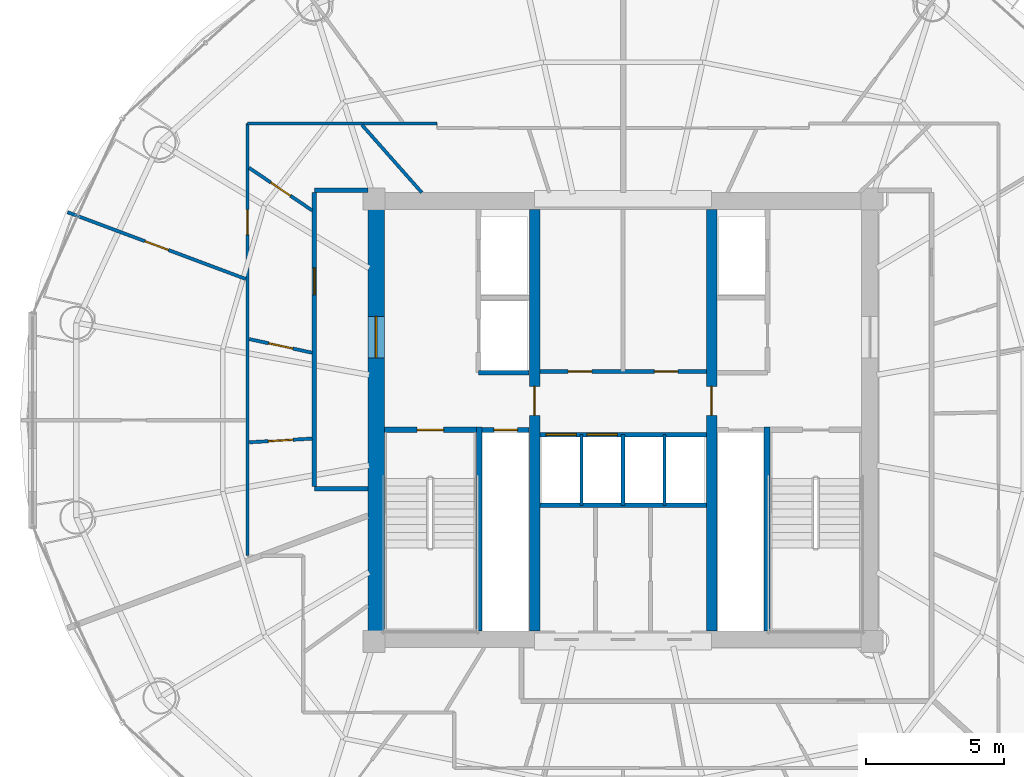
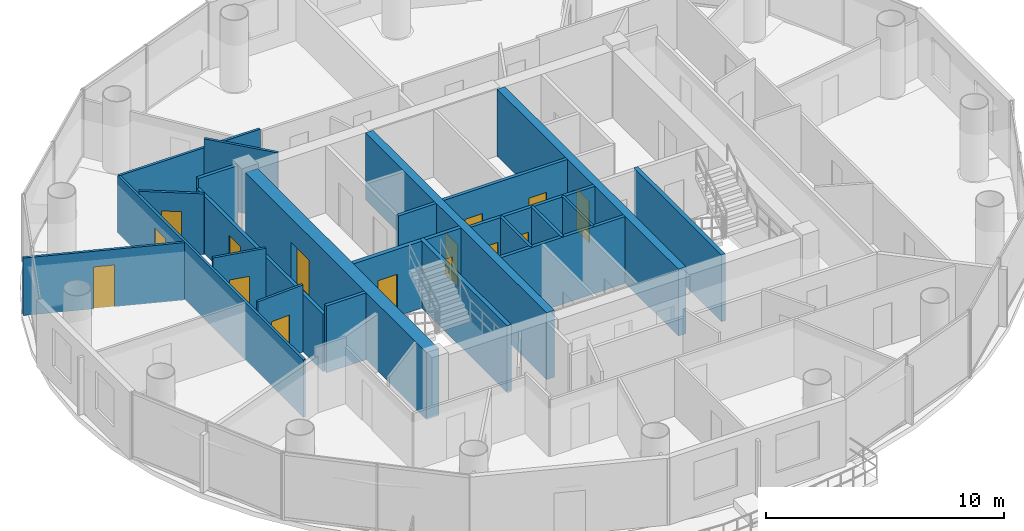
# One storey, part 21 of 26: 24 walls, 15 doors, 15 openings.
"""IFC4 building model written with IfcOpenShell, lengths in metres."""

from ifc_helpers import new_model, si_unit, direction, frame, frame_2d, origin, place, context, subcontext, project, spatial, rectangle, extrude, source, transform, mapped, material, layer, layer_set, type_object, element, fill, save


model = new_model("IFC4")

# Units and contexts
model_context = context("Model", 3, precision=1e-05, world=origin(), true_north=direction((-0.2419218956, 0.970295726276)))
body_context = subcontext(model_context, "Body", "Model", "MODEL_VIEW")
ifc_project = project(units=[si_unit("LENGTHUNIT", "METRE"), si_unit("AREAUNIT", "SQUARE_METRE"), si_unit("VOLUMEUNIT", "CUBIC_METRE"), si_unit("PLANEANGLEUNIT", "RADIAN"), si_unit("MASSUNIT", "GRAM", prefix="KILO")], contexts=[model_context])

# Site, building, storey
site_placement = place(None, origin())
site = spatial("IfcSite", under=ifc_project, at=site_placement, CompositionType="ELEMENT")
building_placement = place(site_placement, origin())
building = spatial("IfcBuilding", under=site, at=building_placement, Name="Cobrevalo Terracotta Tower", CompositionType="ELEMENT")
storey_placement = place(building_placement, frame((0.0, 0.0, 206.0)))
storey = spatial("IfcBuildingStorey", under=building, at=storey_placement, Name="L54", CompositionType="ELEMENT", Elevation=206.0)

# Wall, opening, door
ifc_material_1 = material(Name="Concrete C55", Category="concrete")
ifc_layer_1 = layer(ifc_material_1, 0.60009765625)
ifc_layer_set_1 = layer_set([ifc_layer_1], Name="Concrete C55")
wall_type_1 = type_object("IfcWallType", Name="Core shear wall 600 mm Concrete C55", PredefinedType="SHEAR", material=ifc_layer_set_1)
wall_1_placement = place(storey_placement, frame((29.074951171875, 19.175048828125, 0.0), z_axis=(0.0, 0.0, 1.0), x_axis=(0.0, 1.0, 0.0)))
wall_1 = element("IfcWall", 1, at=wall_1_placement, inside=storey, type_object=wall_type_1, Name="L54 west core shear wall", PredefinedType="SHEAR", context=body_context, shape_type="SweptSolid", body=[
    extrude(rectangle(XDim=15.25, YDim=0.60009765625, at=frame_2d((7.625, 0.0))), origin(), (0.0, 0.0, 1.0), 3.43505859375),
])
opening_1_placement = place(wall_1_placement, frame((9.875, 0.0, 0.0)))
opening_1 = element("IfcOpeningElement", 2, at=opening_1_placement, cuts=wall_1, Name="Opening ID-14", PredefinedType="OPENING", context=body_context, shape_type="SweptSolid", body=[
    extrude(rectangle(XDim=1.5, YDim=2.199951171875, at=frame_2d((0.75, 1.10009765625))), frame((0.0, 0.31005859375, 0.0), z_axis=(0.0, -1.0, 0.0), x_axis=(1.0, 0.0, 0.0)), (0.0, 0.0, 1.0), 0.6201171875),
])
ifc_material_2 = material(Name="Galvanized fire-rated steel", Category="steel")
door_type_1 = type_object("IfcDoorType", Name="Core cross-lobby double fire door 1500x2200 EI 90", OperationType="NOTDEFINED", PredefinedType="DOOR", material=ifc_material_2)
shared_shape_1 = source(origin(), body_context, "Body", "SweptSolid", [
    extrude(rectangle(XDim=1.5, YDim=2.199951171875, at=frame_2d((0.75, 1.10009765625))), frame((0.0, 0.02490234375, 0.0), z_axis=(0.0, -1.0, 0.0), x_axis=(1.0, 0.0, 0.0)), (0.0, 0.0, 1.0), 0.050048828125),
])
door_1_placement = place(opening_1_placement, origin())
door_1 = element("IfcDoor", 3, at=door_1_placement, inside=storey, type_object=door_type_1, Name="L54 west firefighting lobby entrance door", OperationType="DOUBLE_DOOR_SINGLE_SWING", OverallHeight=2.199951171875, OverallWidth=1.5, PredefinedType="DOOR", context=body_context, shape_type="MappedRepresentation", body=[
    mapped(shared_shape_1, transform((0.0, 0.0, 0.0), scale=1.0)),
])
fill(opening_1, door_1)

# Wall
ifc_material_3 = material(Name="Gypsum board on steel stud", Category="steel")
ifc_layer_2 = layer(ifc_material_3, 0.159912109375)
ifc_layer_set_2 = layer_set([ifc_layer_2], Name="Gypsum board on steel stud")
wall_type_2 = type_object("IfcWallType", Name="Fire-rated corridor acoustic partition wall 160 mm", PredefinedType="PARTITIONING", material=ifc_layer_set_2)
wall_2_placement = place(storey_placement, frame((32.77001953125, 28.52001953125, 0.0), z_axis=(0.0, 0.0, 1.0), x_axis=(1.0, 0.0, 0.0)))
element("IfcWall", 4, at=wall_2_placement, inside=storey, type_object=wall_type_2, Name="L54 interior partition IW-L54-FF1-S", PredefinedType="PARTITIONING", context=body_context, shape_type="SweptSolid", body=[
    extrude(rectangle(XDim=1.840087890625, YDim=0.159912109375, at=frame_2d((0.919921875, 0.0))), origin(), (0.0, 0.0, 1.0), 3.43505859375),
])

# Wall, openings, doors
wall_3_placement = place(storey_placement, frame((34.989990234375, 28.56005859375, 0.0), z_axis=(0.0, 0.0, 1.0), x_axis=(1.0, 0.0, 0.0)))
wall_3 = element("IfcWall", 5, at=wall_3_placement, inside=storey, type_object=wall_type_2, Name="L54 interior partition IW-L54-LB-S", PredefinedType="PARTITIONING", context=body_context, shape_type="SweptSolid", body=[
    extrude(rectangle(XDim=6.02001953125, YDim=0.159912109375, at=frame_2d((3.010009765625, 0.0))), origin(), (0.0, 0.0, 1.0), 3.43505859375),
])
opening_2_placement = place(wall_3_placement, frame((1.02490234375, 0.0, 0.0)))
opening_2 = element("IfcOpeningElement", 6, at=opening_2_placement, cuts=wall_3, Name="Opening ID-07", PredefinedType="OPENING", context=body_context, shape_type="SweptSolid", body=[
    extrude(rectangle(XDim=0.860107421875, YDim=2.10009765625, at=frame_2d((0.43017578125, 1.050048828125))), frame((0.0, 0.08984375, 0.0), z_axis=(0.0, -1.0, 0.0), x_axis=(1.0, 0.0, 0.0)), (0.0, 0.0, 1.0), 0.179931640625),
])
opening_3_placement = place(wall_3_placement, frame((4.139892578125, 0.0, 0.0)))
opening_3 = element("IfcOpeningElement", 7, at=opening_3_placement, cuts=wall_3, Name="Opening ID-22", PredefinedType="OPENING", context=body_context, shape_type="SweptSolid", body=[
    extrude(rectangle(XDim=0.85009765625, YDim=2.10009765625, at=frame_2d((0.425048828125, 1.050048828125))), frame((0.0, 0.08984375, 0.0), z_axis=(0.0, -1.0, 0.0), x_axis=(1.0, 0.0, 0.0)), (0.0, 0.0, 1.0), 0.179931640625),
])
ifc_material_4 = material(Name="Powder-coated steel", Category="steel")
door_type_2 = type_object("IfcDoorType", Name="Riser shaft & meter closet fire access door 850x2100 EI 60", OperationType="NOTDEFINED", PredefinedType="DOOR", material=ifc_material_4)
shared_shape_2 = source(origin(), body_context, "Body", "SweptSolid", [
    extrude(rectangle(XDim=0.85009765625, YDim=2.10009765625, at=frame_2d((0.425048828125, 1.050048828125))), frame((0.0, 0.02490234375, 0.0), z_axis=(0.0, -1.0, 0.0), x_axis=(1.0, 0.0, 0.0)), (0.0, 0.0, 1.0), 0.050048828125),
])
door_2_placement = place(opening_3_placement, origin())
door_2 = element("IfcDoor", 8, at=door_2_placement, inside=storey, type_object=door_type_2, Name="L54 core service door Floor Telecom and Metering Plant", OperationType="SINGLE_SWING_RIGHT", OverallHeight=2.10009765625, OverallWidth=0.85009765625, PredefinedType="DOOR", context=body_context, shape_type="MappedRepresentation", body=[
    mapped(shared_shape_2, transform((0.0, 0.0, 0.0), scale=1.0)),
])
fill(opening_3, door_2)
ifc_material_5 = material(Name="Fire-rated moisture-sealed timber", Category="wood")
door_type_3 = type_object("IfcDoorType", Name="Core & podium fire-rated accessible WC door 860x2100 EI 60", OperationType="NOTDEFINED", PredefinedType="DOOR", material=ifc_material_5)
shared_shape_3 = source(origin(), body_context, "Body", "SweptSolid", [
    extrude(rectangle(XDim=0.860107421875, YDim=2.10009765625, at=frame_2d((0.43017578125, 1.050048828125))), frame((0.0, 0.02490234375, 0.0), z_axis=(0.0, -1.0, 0.0), x_axis=(1.0, 0.0, 0.0)), (0.0, 0.0, 1.0), 0.050048828125),
])
door_3_placement = place(opening_2_placement, origin())
door_3 = element("IfcDoor", 9, at=door_3_placement, inside=storey, type_object=door_type_3, Name="L54 core service door Core Accessible Toilet WC", OperationType="SINGLE_SWING_LEFT", OverallHeight=2.10009765625, OverallWidth=0.860107421875, PredefinedType="DOOR", context=body_context, shape_type="MappedRepresentation", body=[
    mapped(shared_shape_3, transform((0.0, 0.0, 0.0), scale=1.0)),
])
fill(opening_2, door_3)

wall_4_placement = place(storey_placement, frame((34.989990234375, 26.280029296875, 0.0), z_axis=(0.0, 0.0, 1.0), x_axis=(1.0, 0.0, 0.0)))
wall_4 = element("IfcWall", 10, at=wall_4_placement, inside=storey, type_object=wall_type_2, Name="L54 interior partition IW-L54-MB-N", PredefinedType="PARTITIONING", context=body_context, shape_type="SweptSolid", body=[
    extrude(rectangle(XDim=6.02001953125, YDim=0.159912109375, at=frame_2d((3.010009765625, 0.0))), origin(), (0.0, 0.0, 1.0), 3.43505859375),
])
opening_4_placement = place(wall_4_placement, frame((0.22509765625, 0.0, 0.0)))
opening_4 = element("IfcOpeningElement", 11, at=opening_4_placement, cuts=wall_4, Name="Opening LD-01", PredefinedType="OPENING", context=body_context, shape_type="SweptSolid", body=[
    extrude(rectangle(XDim=1.10009765625, YDim=2.199951171875, at=frame_2d((0.550048828125, 1.10009765625))), frame((0.0, 0.08984375, 0.0), z_axis=(0.0, -1.0, 0.0), x_axis=(1.0, 0.0, 0.0)), (0.0, 0.0, 1.0), 0.179931640625),
])
opening_5_placement = place(wall_4_placement, frame((1.705078125, 0.0, 0.0)))
opening_5 = element("IfcOpeningElement", 12, at=opening_5_placement, cuts=wall_4, Name="Opening LD-01", PredefinedType="OPENING", context=body_context, shape_type="SweptSolid", body=[
    extrude(rectangle(XDim=1.10009765625, YDim=2.199951171875, at=frame_2d((0.550048828125, 1.10009765625))), frame((0.0, 0.08984375, 0.0), z_axis=(0.0, -1.0, 0.0), x_axis=(1.0, 0.0, 0.0)), (0.0, 0.0, 1.0), 0.179931640625),
])
ifc_material_6 = material(Name="Brushed stainless steel", Category="steel")
door_type_4 = type_object("IfcDoorType", Name="Passenger lift landing bi-parting sliding door 1100x2200 EI 90", OperationType="DOUBLE_DOOR_SLIDING", PredefinedType="DOOR", material=ifc_material_6)
shared_shape_4 = source(origin(), body_context, "Body", "SweptSolid", [
    extrude(rectangle(XDim=1.10009765625, YDim=2.199951171875, at=frame_2d((0.550048828125, 1.10009765625))), frame((0.0, 0.02490234375, 0.0), z_axis=(0.0, -1.0, 0.0), x_axis=(1.0, 0.0, 0.0)), (0.0, 0.0, 1.0), 0.050048828125),
])
door_4_placement = place(opening_4_placement, origin())
door_4 = element("IfcDoor", 13, at=door_4_placement, inside=storey, type_object=door_type_4, Name="L54 lift landing door PL-M1", OperationType="DOUBLE_DOOR_SLIDING", OverallHeight=2.199951171875, OverallWidth=1.10009765625, PredefinedType="DOOR", context=body_context, shape_type="MappedRepresentation", body=[
    mapped(shared_shape_4, transform((0.0, 0.0, 0.0), scale=1.0)),
])
fill(opening_4, door_4)
door_5_placement = place(opening_5_placement, origin())
door_5 = element("IfcDoor", 14, at=door_5_placement, inside=storey, type_object=door_type_4, Name="L54 lift landing door PL-M2", OperationType="DOUBLE_DOOR_SLIDING", OverallHeight=2.199951171875, OverallWidth=1.10009765625, PredefinedType="DOOR", context=body_context, shape_type="MappedRepresentation", body=[
    mapped(shared_shape_4, transform((0.0, 0.0, 0.0), scale=1.0)),
])
fill(opening_5, door_5)

# Wall
wall_5_placement = place(storey_placement, frame((34.989990234375, 23.719970703125, 0.0), z_axis=(0.0, 0.0, 1.0), x_axis=(1.0, 0.0, 0.0)))
element("IfcWall", 15, at=wall_5_placement, inside=storey, type_object=wall_type_2, Name="L54 interior partition IW-L54-MB-S", PredefinedType="PARTITIONING", context=body_context, shape_type="SweptSolid", body=[
    extrude(rectangle(XDim=6.02001953125, YDim=0.159912109375, at=frame_2d((3.010009765625, 0.0))), origin(), (0.0, 0.0, 1.0), 3.43505859375),
])

# Wall, opening, door
wall_6_placement = place(storey_placement, frame((26.844970703125, 24.39990234375, 0.0), z_axis=(0.0, 0.0, 1.0), x_axis=(0.0, 1.0, 0.0)))
wall_6 = element("IfcWall", 16, at=wall_6_placement, inside=storey, type_object=wall_type_2, Name="L54 interior partition IW-L54-COR-W", PredefinedType="PARTITIONING", context=body_context, shape_type="SweptSolid", body=[
    extrude(rectangle(XDim=10.625, YDim=0.159912109375, at=frame_2d((5.3125, 0.0))), origin(), (0.0, 0.0, 1.0), 2.950927734375),
])
opening_6_placement = place(wall_6_placement, frame((6.92724609375, 0.0, 0.0)))
opening_6 = element("IfcOpeningElement", 17, at=opening_6_placement, cuts=wall_6, Name="Opening ID-05", PredefinedType="OPENING", context=body_context, shape_type="SweptSolid", body=[
    extrude(rectangle(XDim=0.97998046875, YDim=2.199951171875, at=frame_2d((0.489990234375, 1.10009765625))), frame((0.0, 0.08984375, 0.0), z_axis=(0.0, -1.0, 0.0), x_axis=(1.0, 0.0, 0.0)), (0.0, 0.0, 1.0), 0.179931640625),
])
ifc_material_7 = material(Name="Solid hardwood timber", Category="wood")
door_type_5 = type_object("IfcDoorType", Name="Residence entrance fire-rated acoustic timber door 980x2200 EI 60", OperationType="NOTDEFINED", PredefinedType="DOOR", material=ifc_material_7)
shared_shape_5 = source(origin(), body_context, "Body", "SweptSolid", [
    extrude(rectangle(XDim=0.97998046875, YDim=2.199951171875, at=frame_2d((0.489990234375, 1.10009765625))), frame((0.0, 0.02490234375, 0.0), z_axis=(0.0, -1.0, 0.0), x_axis=(1.0, 0.0, 0.0)), (0.0, 0.0, 1.0), 0.050048828125),
])
door_6_placement = place(opening_6_placement, origin())
door_6 = element("IfcDoor", 18, at=door_6_placement, inside=storey, type_object=door_type_5, Name="Flat L54A fire-rated apartment entrance door", OperationType="SINGLE_SWING_LEFT", OverallHeight=2.199951171875, OverallWidth=0.97998046875, PredefinedType="DOOR", context=body_context, shape_type="MappedRepresentation", body=[
    mapped(shared_shape_5, transform((0.0, 0.0, 0.0), scale=1.0)),
])
fill(opening_6, door_6)

# Walls
for number, where, z_axis, x_axis, name in (
    (19, (26.844970703125, 35.10498046875, 0.0), (0.0, 0.0, 1.0), (1.0, 0.0, 0.0), "L54 interior partition IW-L54-COR-WN-CAP"),
    (20, (26.844970703125, 24.320068359375, 0.0), (0.0, 0.0, 1.0), (1.0, 0.0, 0.0), "L54 interior partition IW-L54-COR-WS-CAP"),
):
    element("IfcWall", number, at=place(storey_placement, frame(where, z_axis=z_axis, x_axis=x_axis)), inside=storey, type_object=wall_type_2, Name=name, PredefinedType="PARTITIONING", context=body_context, shape_type="SweptSolid", body=[
        extrude(rectangle(XDim=1.929931640625, YDim=0.159912109375, at=frame_2d((0.96484375, 0.0))), origin(), (0.0, 0.0, 1.0), 3.43505859375),
    ])

# Wall, opening, door
ifc_layer_3 = layer(ifc_material_3, 0.179931640625)
ifc_layer_set_3 = layer_set([ifc_layer_3], Name="Gypsum board on steel stud")
wall_type_3 = type_object("IfcWallType", Name="Fire-rated shaft & lobby acoustic partition wall 180 mm", PredefinedType="PARTITIONING", material=ifc_layer_set_3)
wall_7_placement = place(storey_placement, frame((32.89990234375, 26.449951171875, 0.0), z_axis=(0.0, 0.0, 1.0), x_axis=(1.0, 0.0, 0.0)))
wall_7 = element("IfcWall", 21, at=wall_7_placement, inside=storey, type_object=wall_type_3, Name="L54 interior partition IW-L54-RSW-N", PredefinedType="PARTITIONING", context=body_context, shape_type="SweptSolid", body=[
    extrude(rectangle(XDim=1.710205078125, YDim=0.179931640625, at=frame_2d((0.85498046875, 0.0))), origin(), (0.0, 0.0, 1.0), 3.43505859375),
])
opening_7_placement = place(wall_7_placement, frame((0.429931640625, 0.0, 0.0)))
opening_7 = element("IfcOpeningElement", 22, at=opening_7_placement, cuts=wall_7, Name="Opening ID-22", PredefinedType="OPENING", context=body_context, shape_type="SweptSolid", body=[
    extrude(rectangle(XDim=0.85009765625, YDim=2.10009765625, at=frame_2d((0.425048828125, 1.050048828125))), frame((0.0, 0.10009765625, 0.0), z_axis=(0.0, -1.0, 0.0), x_axis=(1.0, 0.0, 0.0)), (0.0, 0.0, 1.0), 0.199951171875),
])
door_7_placement = place(opening_7_placement, origin())
door_7 = element("IfcDoor", 23, at=door_7_placement, inside=storey, type_object=door_type_2, Name="L54 riser access door RSW", OperationType="SINGLE_SWING_LEFT", OverallHeight=2.10009765625, OverallWidth=0.85009765625, PredefinedType="DOOR", context=body_context, shape_type="MappedRepresentation", body=[
    mapped(shared_shape_2, transform((0.0, 0.0, 0.0), scale=1.0)),
])
fill(opening_7, door_7)

# Walls
ifc_material_8 = material(Name="Autoclaved aerated concrete block", Category="concrete")
ifc_layer_4 = layer(ifc_material_8, 0.1201171875)
ifc_layer_set_4 = layer_set([ifc_layer_4], Name="Autoclaved aerated concrete block")
wall_type_4 = type_object("IfcWallType", Name="Fire-rated wet-room & core service partition 120 mm", PredefinedType="PARTITIONING", material=ifc_layer_set_4)
for number, where, z_axis, x_axis, name in (
    (24, (36.5, 23.719970703125, 0.0), (0.0, 0.0, 1.0), (0.0, 1.0, 0.0), "L54 interior partition IW-L54-MB-D1"),
    (25, (39.5, 23.719970703125, 0.0), (0.0, 0.0, 1.0), (0.0, 1.0, 0.0), "L54 interior partition IW-L54-MB-D3"),
):
    element("IfcWall", number, at=place(storey_placement, frame(where, z_axis=z_axis, x_axis=x_axis)), inside=storey, type_object=wall_type_4, Name=name, PredefinedType="PARTITIONING", context=body_context, shape_type="SweptSolid", body=[
        extrude(rectangle(XDim=2.56005859375, YDim=0.1201171875, at=frame_2d((1.280029296875, 0.0))), origin(), (0.0, 0.0, 1.0), 3.43505859375),
    ])

# Wall, opening, door
ifc_material_9 = material(Name="Concrete C50", Category="concrete")
ifc_layer_5 = layer(ifc_material_9, 0.3798828125)
ifc_layer_set_5 = layer_set([ifc_layer_5], Name="Concrete C50")
wall_type_5 = type_object("IfcWallType", Name="Internal core shear web wall 380 mm Concrete C50", PredefinedType="SHEAR", material=ifc_layer_set_5)
wall_8_placement = place(storey_placement, frame((34.800048828125, 19.175048828125, 0.0), z_axis=(0.0, 0.0, 1.0), x_axis=(0.0, 1.0, 0.0)))
wall_8 = element("IfcWall", 26, at=wall_8_placement, inside=storey, type_object=wall_type_5, Name="L54 internal core shear wall WEB-W", PredefinedType="SHEAR", context=body_context, shape_type="SweptSolid", body=[
    extrude(rectangle(XDim=15.25, YDim=0.3798828125, at=frame_2d((7.625, 0.0))), origin(), (0.0, 0.0, 1.0), 3.43505859375),
])
opening_8_placement = place(wall_8_placement, frame((7.800048828125, 0.0, 0.0)))
opening_8 = element("IfcOpeningElement", 27, at=opening_8_placement, cuts=wall_8, Name="Opening ID-11", PredefinedType="OPENING", context=body_context, shape_type="SweptSolid", body=[
    extrude(rectangle(XDim=1.050048828125, YDim=2.14990234375, at=frame_2d((0.52490234375, 1.074951171875))), frame((0.0, 0.199951171875, 0.0), z_axis=(0.0, -1.0, 0.0), x_axis=(1.0, 0.0, 0.0)), (0.0, 0.0, 1.0), 0.39990234375),
])
door_type_6 = type_object("IfcDoorType", Name="Core concourse cross fire door 1050x2150 EI 90", OperationType="NOTDEFINED", PredefinedType="DOOR", material=ifc_material_2)
shared_shape_6 = source(origin(), body_context, "Body", "SweptSolid", [
    extrude(rectangle(XDim=1.050048828125, YDim=2.14990234375, at=frame_2d((0.52490234375, 1.074951171875))), frame((0.0, 0.02490234375, 0.0), z_axis=(0.0, -1.0, 0.0), x_axis=(1.0, 0.0, 0.0)), (0.0, 0.0, 1.0), 0.050048828125),
])
door_8_placement = place(opening_8_placement, origin())
door_8 = element("IfcDoor", 28, at=door_8_placement, inside=storey, type_object=door_type_6, Name="L54 west core concourse cross door", OperationType="SINGLE_SWING_LEFT", OverallHeight=2.14990234375, OverallWidth=1.050048828125, PredefinedType="DOOR", context=body_context, shape_type="MappedRepresentation", body=[
    mapped(shared_shape_6, transform((0.0, 0.0, 0.0), scale=1.0)),
])
fill(opening_8, door_8)

wall_9_placement = place(storey_placement, frame((41.199951171875, 19.175048828125, 0.0), z_axis=(0.0, 0.0, 1.0), x_axis=(0.0, 1.0, 0.0)))
wall_9 = element("IfcWall", 29, at=wall_9_placement, inside=storey, type_object=wall_type_5, Name="L54 internal core shear wall WEB-E", PredefinedType="SHEAR", context=body_context, shape_type="SweptSolid", body=[
    extrude(rectangle(XDim=15.25, YDim=0.3798828125, at=frame_2d((7.625, 0.0))), origin(), (0.0, 0.0, 1.0), 3.43505859375),
])
opening_9_placement = place(wall_9_placement, frame((7.800048828125, 0.0, 0.0)))
opening_9 = element("IfcOpeningElement", 30, at=opening_9_placement, cuts=wall_9, Name="Opening ID-11", PredefinedType="OPENING", context=body_context, shape_type="SweptSolid", body=[
    extrude(rectangle(XDim=1.050048828125, YDim=2.14990234375, at=frame_2d((0.52490234375, 1.074951171875))), frame((0.0, 0.199951171875, 0.0), z_axis=(0.0, -1.0, 0.0), x_axis=(1.0, 0.0, 0.0)), (0.0, 0.0, 1.0), 0.39990234375),
])
door_9_placement = place(opening_9_placement, frame((1.050048828125, 0.0, 0.0), z_axis=(0.0, 0.0, 1.0), x_axis=(-1.0, 0.0, 0.0)))
door_9 = element("IfcDoor", 31, at=door_9_placement, inside=storey, type_object=door_type_6, Name="L54 east core concourse cross door", OperationType="SINGLE_SWING_RIGHT", OverallHeight=2.14990234375, OverallWidth=1.050048828125, PredefinedType="DOOR", context=body_context, shape_type="MappedRepresentation", body=[
    mapped(shared_shape_6, transform((0.0, 0.0, 0.0), scale=1.0)),
])
fill(opening_9, door_9)

# Wall
ifc_layer_6 = layer(ifc_material_8, 0.139892578125)
ifc_layer_set_6 = layer_set([ifc_layer_6], Name="Autoclaved aerated concrete block")
wall_type_6 = type_object("IfcWallType", Name="Moisture-resistant wet-room & core service partition 140 mm", PredefinedType="PARTITIONING", material=ifc_layer_set_6)
wall_10_placement = place(storey_placement, frame((38.0, 23.719970703125, 0.0), z_axis=(0.0, 0.0, 1.0), x_axis=(0.0, 1.0, 0.0)))
element("IfcWall", 32, at=wall_10_placement, inside=storey, type_object=wall_type_6, Name="L54 interior partition IW-L54-MB-D2", PredefinedType="PARTITIONING", context=body_context, shape_type="SweptSolid", body=[
    extrude(rectangle(XDim=2.56005859375, YDim=0.139892578125, at=frame_2d((1.280029296875, 0.0))), origin(), (0.0, 0.0, 1.0), 3.43505859375),
])

# Wall, opening, door
ifc_layer_7 = layer(ifc_material_3, 0.1201171875)
ifc_layer_set_7 = layer_set([ifc_layer_7], Name="Gypsum board on steel stud")
wall_type_7 = type_object("IfcWallType", Name="Residential internal acoustic stud partition 120 mm", PredefinedType="PARTITIONING", material=ifc_layer_set_7)
wall_11_placement = place(storey_placement, frame((24.425048828125, 21.89990234375, 0.0), z_axis=(0.0, 0.0, 1.0), x_axis=(0.0, 1.0, 0.0)))
wall_11 = element("IfcWall", 33, at=wall_11_placement, inside=storey, type_object=wall_type_7, Name="L54 interior partition IW-L54-U1-RING1_0", PredefinedType="PARTITIONING", context=body_context, shape_type="SweptSolid", body=[
    extrude(rectangle(XDim=15.625, YDim=0.1201171875, at=frame_2d((7.8125, 0.0))), origin(), (0.0, 0.0, 1.0), 2.950927734375),
])
opening_10_placement = place(wall_11_placement, frame((11.611083984375, 0.0, 0.0)))
opening_10 = element("IfcOpeningElement", 34, at=opening_10_placement, cuts=wall_11, Name="Opening ID-12", PredefinedType="OPENING", context=body_context, shape_type="SweptSolid", body=[
    extrude(rectangle(XDim=0.89990234375, YDim=2.14990234375, at=frame_2d((0.449951171875, 1.074951171875))), frame((0.0, 0.070068359375, 0.0), z_axis=(0.0, -1.0, 0.0), x_axis=(1.0, 0.0, 0.0)), (0.0, 0.0, 1.0), 0.14013671875),
])
ifc_material_10 = material(Name="Engineered timber", Category="wood")
door_type_7 = type_object("IfcDoorType", Name="Internal residence & suite timber door 900x2150", OperationType="NOTDEFINED", PredefinedType="DOOR", material=ifc_material_10)
shared_shape_7 = source(origin(), body_context, "Body", "SweptSolid", [
    extrude(rectangle(XDim=0.89990234375, YDim=2.14990234375, at=frame_2d((0.449951171875, 1.074951171875))), frame((0.0, 0.02490234375, 0.0), z_axis=(0.0, -1.0, 0.0), x_axis=(1.0, 0.0, 0.0)), (0.0, 0.0, 1.0), 0.050048828125),
])
door_10_placement = place(opening_10_placement, origin())
door_10 = element("IfcDoor", 35, at=door_10_placement, inside=storey, type_object=door_type_7, Name="Flat L54A Master Bedroom internal door", OperationType="SINGLE_SWING_LEFT", OverallHeight=2.14990234375, OverallWidth=0.89990234375, PredefinedType="DOOR", context=body_context, shape_type="MappedRepresentation", body=[
    mapped(shared_shape_7, transform((0.0, 0.0, 0.0), scale=1.0)),
])
fill(opening_10, door_10)

# Wall
wall_12_placement = place(storey_placement, frame((24.425048828125, 37.52490234375, 0.0), z_axis=(0.0, 0.0, 1.0), x_axis=(1.0, 0.0, 0.0)))
element("IfcWall", 36, at=wall_12_placement, inside=storey, type_object=wall_type_7, Name="L54 interior partition IW-L54-U1-RING2_0", PredefinedType="PARTITIONING", context=body_context, shape_type="SweptSolid", body=[
    extrude(rectangle(XDim=6.849853515625, YDim=0.1201171875, at=frame_2d((3.4248046875, 0.0))), origin(), (0.0, 0.0, 1.0), 2.950927734375),
])

# Wall, opening, door
wall_13_placement = place(storey_placement, frame((24.366943359375, 31.903076171875, 0.0), z_axis=(0.0, 0.0, 1.0), x_axis=(-0.936544604529, 0.350548432785, 0.0)))
wall_13 = element("IfcWall", 37, at=wall_13_placement, inside=storey, type_object=wall_type_7, Name="L54 interior partition IW-L54-U1-ORAD2", PredefinedType="PARTITIONING", context=body_context, shape_type="SweptSolid", body=[
    extrude(rectangle(XDim=6.88720703125, YDim=0.1201171875, at=frame_2d((3.443603515625, 0.0))), origin(), (0.0, 0.0, 1.0), 2.950927734375),
])
opening_11_placement = place(wall_13_placement, frame((2.99365234375, 0.0, 0.0)))
opening_11 = element("IfcOpeningElement", 38, at=opening_11_placement, cuts=wall_13, Name="Opening ID-12", PredefinedType="OPENING", context=body_context, shape_type="SweptSolid", body=[
    extrude(rectangle(XDim=0.89990234375, YDim=2.14990234375, at=frame_2d((0.449951171875, 1.074951171875))), frame((0.0, 0.070068359375, 0.0), z_axis=(0.0, -1.0, 0.0), x_axis=(1.0, 0.0, 0.0)), (0.0, 0.0, 1.0), 0.14013671875),
])
door_11_placement = place(opening_11_placement, origin())
door_11 = element("IfcDoor", 39, at=door_11_placement, inside=storey, type_object=door_type_7, Name="Flat L54A Principal Guest Bedroom internal door", OperationType="SINGLE_SWING_RIGHT", OverallHeight=2.14990234375, OverallWidth=0.89990234375, PredefinedType="DOOR", context=body_context, shape_type="MappedRepresentation", body=[
    mapped(shared_shape_7, transform((0.0, 0.0, 0.0), scale=1.0)),
])
fill(opening_11, door_11)

# Wall
wall_14_placement = place(storey_placement, frame((30.726318359375, 35.026611328125, 0.0), z_axis=(0.0, 0.0, 1.0), x_axis=(-0.662398427862, 0.749151735475, 0.0)))
element("IfcWall", 40, at=wall_14_placement, inside=storey, type_object=wall_type_7, Name="L54 interior partition IW-L54-U1-IRAD2", PredefinedType="PARTITIONING", context=body_context, shape_type="SweptSolid", body=[
    extrude(rectangle(XDim=3.27294921875, YDim=0.1201171875, at=frame_2d((1.636474609375, 0.0))), origin(), (0.0, 0.0, 1.0), 3.43505859375),
])

# Wall, opening, door
wall_15_placement = place(storey_placement, frame((26.764892578125, 34.38134765625, 0.0), z_axis=(0.0, 0.0, 1.0), x_axis=(-0.828908126494, 0.55938476725, 0.0)))
wall_15 = element("IfcWall", 41, at=wall_15_placement, inside=storey, type_object=wall_type_7, Name="L54 interior partition IW-L54-U1-IRAD3", PredefinedType="PARTITIONING", context=body_context, shape_type="SweptSolid", body=[
    extrude(rectangle(XDim=2.760986328125, YDim=0.1201171875, at=frame_2d((1.38037109375, 0.0))), origin(), (0.0, 0.0, 1.0), 3.110107421875),
])
opening_12_placement = place(wall_15_placement, frame((0.950439453125, 0.0, 0.0)))
opening_12 = element("IfcOpeningElement", 42, at=opening_12_placement, cuts=wall_15, Name="Opening ID-19", PredefinedType="OPENING", context=body_context, shape_type="SweptSolid", body=[
    extrude(rectangle(XDim=0.860107421875, YDim=2.14990234375, at=frame_2d((0.43017578125, 1.074951171875))), frame((0.0, 0.070068359375, 0.0), z_axis=(0.0, -1.0, 0.0), x_axis=(1.0, 0.0, 0.0)), (0.0, 0.0, 1.0), 0.14013671875),
])
ifc_material_11 = material(Name="Moisture-sealed timber", Category="wood")
door_type_8 = type_object("IfcDoorType", Name="Suite bathroom internal timber door 860x2150", OperationType="NOTDEFINED", PredefinedType="DOOR", material=ifc_material_11)
shared_shape_8 = source(origin(), body_context, "Body", "SweptSolid", [
    extrude(rectangle(XDim=0.860107421875, YDim=2.14990234375, at=frame_2d((0.43017578125, 1.074951171875))), frame((0.0, 0.02490234375, 0.0), z_axis=(0.0, -1.0, 0.0), x_axis=(1.0, 0.0, 0.0)), (0.0, 0.0, 1.0), 0.050048828125),
])
door_12_placement = place(opening_12_placement, frame((0.860107421875, 0.0, 0.0), z_axis=(0.0, 0.0, 1.0), x_axis=(-1.0, 0.0, 0.0)))
door_12 = element("IfcDoor", 43, at=door_12_placement, inside=storey, type_object=door_type_8, Name="Flat L54A Primary Bathroom internal door", OperationType="SINGLE_SWING_RIGHT", OverallHeight=2.14990234375, OverallWidth=0.860107421875, PredefinedType="DOOR", context=body_context, shape_type="MappedRepresentation", body=[
    mapped(shared_shape_8, transform((0.0, 0.0, 0.0), scale=1.0)),
])
fill(opening_12, door_12)

wall_16_placement = place(storey_placement, frame((26.764892578125, 29.237548828125, 0.0), z_axis=(0.0, 0.0, 1.0), x_axis=(-0.977275456013, 0.211973307458, 0.0)))
wall_16 = element("IfcWall", 44, at=wall_16_placement, inside=storey, type_object=wall_type_7, Name="L54 interior partition IW-L54-U1-IRAD4", PredefinedType="PARTITIONING", context=body_context, shape_type="SweptSolid", body=[
    extrude(rectangle(XDim=2.332275390625, YDim=0.1201171875, at=frame_2d((1.166015625, 0.0))), origin(), (0.0, 0.0, 1.0), 3.43505859375),
])
opening_13_placement = place(wall_16_placement, frame((0.71630859375, 0.0, 0.0)))
opening_13 = element("IfcOpeningElement", 45, at=opening_13_placement, cuts=wall_16, Name="Opening ID-12", PredefinedType="OPENING", context=body_context, shape_type="SweptSolid", body=[
    extrude(rectangle(XDim=0.89990234375, YDim=2.14990234375, at=frame_2d((0.449951171875, 1.074951171875))), frame((0.0, 0.070068359375, 0.0), z_axis=(0.0, -1.0, 0.0), x_axis=(1.0, 0.0, 0.0)), (0.0, 0.0, 1.0), 0.14013671875),
])
door_13_placement = place(opening_13_placement, origin())
door_13 = element("IfcDoor", 46, at=door_13_placement, inside=storey, type_object=door_type_7, Name="Flat L54A Kitchen internal door", OperationType="SINGLE_SWING_LEFT", OverallHeight=2.14990234375, OverallWidth=0.89990234375, PredefinedType="DOOR", context=body_context, shape_type="MappedRepresentation", body=[
    mapped(shared_shape_7, transform((0.0, 0.0, 0.0), scale=1.0)),
])
fill(opening_13, door_13)

wall_17_placement = place(storey_placement, frame((26.764892578125, 26.134521484375, 0.0), z_axis=(0.0, 0.0, 1.0), x_axis=(-0.998248453424, -0.059161011118, 0.0)))
wall_17 = element("IfcWall", 47, at=wall_17_placement, inside=storey, type_object=wall_type_7, Name="L54 interior partition IW-L54-U1-IRAD5", PredefinedType="PARTITIONING", context=body_context, shape_type="SweptSolid", body=[
    extrude(rectangle(XDim=2.281982421875, YDim=0.1201171875, at=frame_2d((1.14111328125, 0.0))), origin(), (0.0, 0.0, 1.0), 3.43505859375),
])
opening_14_placement = place(wall_17_placement, frame((0.691162109375, 0.0, 0.0)))
opening_14 = element("IfcOpeningElement", 48, at=opening_14_placement, cuts=wall_17, Name="Opening ID-12", PredefinedType="OPENING", context=body_context, shape_type="SweptSolid", body=[
    extrude(rectangle(XDim=0.89990234375, YDim=2.14990234375, at=frame_2d((0.449951171875, 1.074951171875))), frame((0.0, 0.070068359375, 0.0), z_axis=(0.0, -1.0, 0.0), x_axis=(1.0, 0.0, 0.0)), (0.0, 0.0, 1.0), 0.14013671875),
])
door_14_placement = place(opening_14_placement, origin())
door_14 = element("IfcDoor", 49, at=door_14_placement, inside=storey, type_object=door_type_7, Name="Flat L54A Utility Closet internal door", OperationType="SINGLE_SWING_RIGHT", OverallHeight=2.14990234375, OverallWidth=0.89990234375, PredefinedType="DOOR", context=body_context, shape_type="MappedRepresentation", body=[
    mapped(shared_shape_7, transform((0.0, 0.0, 0.0), scale=1.0)),
])
fill(opening_14, door_14)

# Wall
ifc_layer_8 = layer(ifc_material_9, 0.199951171875)
ifc_layer_set_8 = layer_set([ifc_layer_8], Name="Concrete C50")
wall_type_8 = type_object("IfcWallType", Name="Structural core & podium stair-shaft RC wall 200 mm Concrete C50", PredefinedType="SOLIDWALL", material=ifc_layer_set_8)
wall_18_placement = place(storey_placement, frame((32.794921875, 19.175048828125, 0.0), z_axis=(0.0, 0.0, 1.0), x_axis=(0.0, 1.0, 0.0)))
element("IfcWall", 50, at=wall_18_placement, inside=storey, type_object=wall_type_8, Name="L54 ST-1 east structural shaft wall", PredefinedType="SOLIDWALL", context=body_context, shape_type="SweptSolid", body=[
    extrude(rectangle(XDim=7.375, YDim=0.199951171875, at=frame_2d((3.6875, 0.0))), origin(), (0.0, 0.0, 1.0), 3.43505859375),
])

# Wall, opening, door
wall_19_placement = place(storey_placement, frame((29.375, 26.449951171875, 0.0), z_axis=(0.0, 0.0, 1.0), x_axis=(1.0, 0.0, 0.0)))
wall_19 = element("IfcWall", 51, at=wall_19_placement, inside=storey, type_object=wall_type_8, Name="L54 ST-1 north structural shaft wall", PredefinedType="SOLIDWALL", context=body_context, shape_type="SweptSolid", body=[
    extrude(rectangle(XDim=3.320068359375, YDim=0.199951171875, at=frame_2d((1.66015625, 0.0))), origin(), (0.0, 0.0, 1.0), 3.43505859375),
])
opening_15_placement = place(wall_19_placement, frame((1.18505859375, 0.0, 0.0)))
opening_15 = element("IfcOpeningElement", 52, at=opening_15_placement, cuts=wall_19, Name="Opening ID-04", PredefinedType="OPENING", context=body_context, shape_type="SweptSolid", body=[
    extrude(rectangle(XDim=0.949951171875, YDim=2.14990234375, at=frame_2d((0.47509765625, 1.074951171875))), frame((0.0, 0.10986328125, 0.0), z_axis=(0.0, -1.0, 0.0), x_axis=(1.0, 0.0, 0.0)), (0.0, 0.0, 1.0), 0.219970703125),
])
door_type_9 = type_object("IfcDoorType", Name="Stair & firefighting lobby fire door 950x2150 EI 90", OperationType="NOTDEFINED", PredefinedType="DOOR", material=ifc_material_2)
shared_shape_9 = source(origin(), body_context, "Body", "SweptSolid", [
    extrude(rectangle(XDim=0.949951171875, YDim=2.14990234375, at=frame_2d((0.47509765625, 1.074951171875))), frame((0.0, 0.02490234375, 0.0), z_axis=(0.0, -1.0, 0.0), x_axis=(1.0, 0.0, 0.0)), (0.0, 0.0, 1.0), 0.050048828125),
])
door_15_placement = place(opening_15_placement, origin())
door_15 = element("IfcDoor", 53, at=door_15_placement, inside=storey, type_object=door_type_9, Name="L54 protected stair ST1 fire door", OperationType="SINGLE_SWING_LEFT", OverallHeight=2.14990234375, OverallWidth=0.949951171875, PredefinedType="DOOR", context=body_context, shape_type="MappedRepresentation", body=[
    mapped(shared_shape_9, transform((0.0, 0.0, 0.0), scale=1.0)),
])
fill(opening_15, door_15)

# Wall
wall_20_placement = place(storey_placement, frame((43.205078125, 19.175048828125, 0.0), z_axis=(0.0, 0.0, 1.0), x_axis=(0.0, 1.0, 0.0)))
element("IfcWall", 54, at=wall_20_placement, inside=storey, type_object=wall_type_8, Name="L54 ST-2 west structural shaft wall", PredefinedType="SOLIDWALL", context=body_context, shape_type="SweptSolid", body=[
    extrude(rectangle(XDim=7.375, YDim=0.199951171875, at=frame_2d((3.6875, 0.0))), origin(), (0.0, 0.0, 1.0), 3.43505859375),
])

save(model, "model.ifc")
